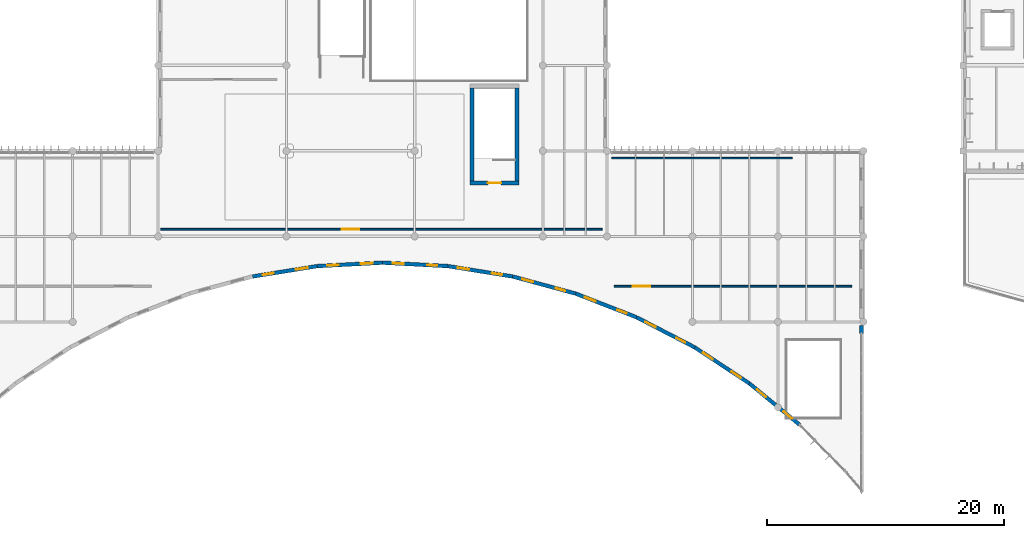
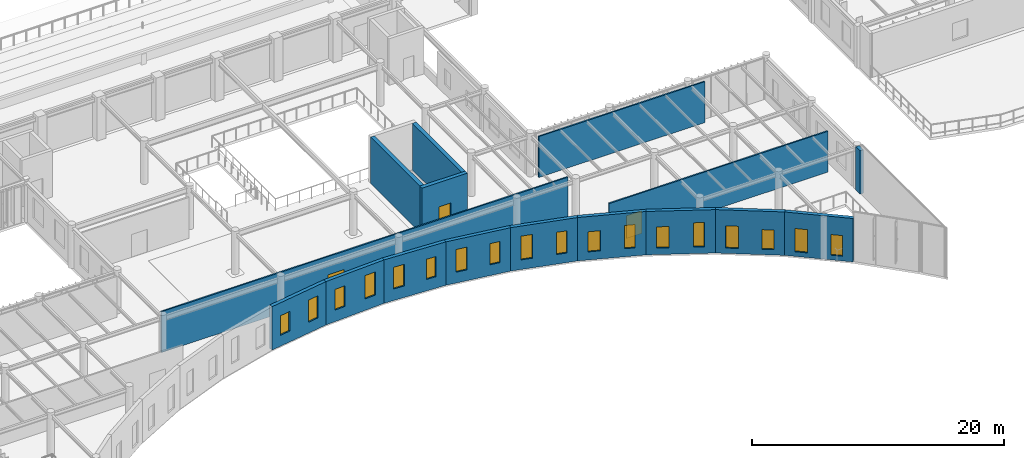
# One storey, part 39 of 104: 18 windows, 16 walls, 3 doors, 21 openings.
"""IFC4 building model written with IfcOpenShell, lengths in metres."""

from ifc_helpers import new_model, si_unit, direction, frame, frame_2d, origin, place, context, subcontext, project, spatial, rectangle, extrude, material, layer, layer_set, type_object, element, fill, save


model = new_model("IFC4")

# Units and contexts
model_context = context("Model", 3, precision=1e-05, world=origin(), true_north=direction((0.0, 1.0)))
body_context = subcontext(model_context, "Body", "Model", "MODEL_VIEW")
ifc_project = project(units=[si_unit("LENGTHUNIT", "METRE"), si_unit("AREAUNIT", "SQUARE_METRE"), si_unit("VOLUMEUNIT", "CUBIC_METRE"), si_unit("PLANEANGLEUNIT", "RADIAN"), si_unit("MASSUNIT", "GRAM", prefix="KILO")], contexts=[model_context])

# Site, building, storey
site_placement = place(None, origin())
site = spatial("IfcSite", under=ifc_project, at=site_placement, CompositionType="ELEMENT")
building_placement = place(site_placement, origin())
building = spatial("IfcBuilding", under=site, at=building_placement, Name="Tazoul Stagehouse", CompositionType="ELEMENT")
storey_placement = place(building_placement, frame((0.0, 0.0, 9.0)))
storey = spatial("IfcBuildingStorey", under=building, at=storey_placement, Name="L02", CompositionType="ELEMENT", Elevation=9.0)

# Wall, openings, windows
ifc_material_1 = material(Name="Ochre Fired Clay Facing Brick Masonry", Category="masonry")
ifc_layer_1 = layer(ifc_material_1, 0.320068359375, Name="Ochre Fired Clay Facing Brick Masonry")
ifc_layer_set_1 = layer_set([ifc_layer_1], Name="Ochre Fired Clay Facing Brick Masonry")
wall_type_1 = type_object("IfcWallType", Name="Concave Crescent Ochre Brick Facade Wall 320", PredefinedType="SOLIDWALL", material=ifc_layer_set_1)
wall_1_placement = place(storey_placement, frame((65.5576171875, 19.62060546875, 0.0), z_axis=(0.0, 0.0, 1.0), x_axis=(0.9873802806, 0.158367236138, 0.0)))
wall_1 = element("IfcWall", 1, at=wall_1_placement, inside=storey, type_object=wall_type_1, Name="L02 Wall EW-320 (WALL-V5-L02-C08)", PredefinedType="SOLIDWALL", context=body_context, shape_type="SweptSolid", body=[
    extrude(rectangle(XDim=5.509765625, YDim=0.320068359375, at=frame_2d((2.7548828125, 0.0))), origin(), (0.0, 0.0, 1.0), 4.199951171875),
])
opening_1_placement = place(wall_1_placement, frame((0.847412109375, 0.0, 1.0458984375)))
opening_1 = element("IfcOpeningElement", 2, at=opening_1_placement, cuts=wall_1, Name="Opening WN-11", PredefinedType="OPENING", context=body_context, shape_type="SweptSolid", body=[
    extrude(rectangle(XDim=0.949951171875, YDim=1.89990234375, at=frame_2d((0.47509765625, 0.949951171875))), frame((0.0, 0.179931640625, 0.0), z_axis=(0.0, -1.0, 0.0), x_axis=(1.0, 0.0, 0.0)), (0.0, 0.0, 1.0), 0.360107421875),
])
opening_2_placement = place(wall_1_placement, frame((3.6875, 0.0, 1.0458984375)))
opening_2 = element("IfcOpeningElement", 3, at=opening_2_placement, cuts=wall_1, Name="Opening WN-18", PredefinedType="OPENING", context=body_context, shape_type="SweptSolid", body=[
    extrude(rectangle(XDim=1.0, YDim=2.14990234375, at=frame_2d((0.5, 1.074951171875))), frame((0.0, 0.179931640625, 0.0), z_axis=(0.0, -1.0, 0.0), x_axis=(1.0, 0.0, 0.0)), (0.0, 0.0, 1.0), 0.360107421875),
])
ifc_material_2 = material(Name="Double Low-E Acoustic Laminated Glass", Category="glass")
window_type_1 = type_object("IfcWindowType", Name="Crescent Modulated Slot Window 1000x2150", PartitioningType="SINGLE_PANEL", PredefinedType="WINDOW", material=ifc_material_2)
window_1_placement = place(opening_2_placement, origin())
window_1 = element("IfcWindow", 4, at=window_1_placement, inside=storey, type_object=window_type_1, Name="L02 Window WN-18 (WN-V5-L02-C08-2)", OverallHeight=2.14990234375, OverallWidth=1.0, PartitioningType="SINGLE_PANEL", PredefinedType="WINDOW", context=body_context, shape_type="SweptSolid", body=[
    extrude(rectangle(XDim=1.0, YDim=2.14990234375, at=frame_2d((0.5, 1.074951171875))), frame((0.0, 0.030029296875, 0.0), z_axis=(0.0, -1.0, 0.0), x_axis=(1.0, 0.0, 0.0)), (0.0, 0.0, 1.0), 0.06005859375),
])
fill(opening_2, window_1)
window_type_2 = type_object("IfcWindowType", Name="Crescent Modulated Slot Window 950x1900", PartitioningType="SINGLE_PANEL", PredefinedType="WINDOW", material=ifc_material_2)
window_2_placement = place(opening_1_placement, origin())
window_2 = element("IfcWindow", 5, at=window_2_placement, inside=storey, type_object=window_type_2, Name="L02 Window WN-11 (WN-V5-L02-C08-1)", OverallHeight=1.89990234375, OverallWidth=0.949951171875, PartitioningType="SINGLE_PANEL", PredefinedType="WINDOW", context=body_context, shape_type="SweptSolid", body=[
    extrude(rectangle(XDim=0.949951171875, YDim=1.89990234375, at=frame_2d((0.47509765625, 0.949951171875))), frame((0.0, 0.030029296875, 0.0), z_axis=(0.0, -1.0, 0.0), x_axis=(1.0, 0.0, 0.0)), (0.0, 0.0, 1.0), 0.06005859375),
])
fill(opening_1, window_2)

wall_2_placement = place(storey_placement, frame((70.997802734375, 20.4931640625, 0.0), z_axis=(0.0, 0.0, 1.0), x_axis=(0.998597189501, 0.05294953372, 0.0)))
wall_2 = element("IfcWall", 6, at=wall_2_placement, inside=storey, type_object=wall_type_1, Name="L02 Wall EW-320 (WALL-V5-L02-C09)", PredefinedType="SOLIDWALL", context=body_context, shape_type="SweptSolid", body=[
    extrude(rectangle(XDim=5.510009765625, YDim=0.320068359375, at=frame_2d((2.7548828125, 0.0))), origin(), (0.0, 0.0, 1.0), 4.199951171875),
])
opening_3_placement = place(wall_2_placement, frame((0.847412109375, 0.0, 1.111572265625)))
opening_3 = element("IfcOpeningElement", 7, at=opening_3_placement, cuts=wall_2, Name="Opening WN-12", PredefinedType="OPENING", context=body_context, shape_type="SweptSolid", body=[
    extrude(rectangle(XDim=0.949951171875, YDim=2.0, at=frame_2d((0.47509765625, 1.0))), frame((0.0, 0.179931640625, 0.0), z_axis=(0.0, -1.0, 0.0), x_axis=(1.0, 0.0, 0.0)), (0.0, 0.0, 1.0), 0.360107421875),
])
opening_4_placement = place(wall_2_placement, frame((3.6875, 0.0, 1.111572265625)))
opening_4 = element("IfcOpeningElement", 8, at=opening_4_placement, cuts=wall_2, Name="Opening WN-19", PredefinedType="OPENING", context=body_context, shape_type="SweptSolid", body=[
    extrude(rectangle(XDim=1.0, YDim=2.25, at=frame_2d((0.5, 1.125))), frame((0.0, 0.179931640625, 0.0), z_axis=(0.0, -1.0, 0.0), x_axis=(1.0, 0.0, 0.0)), (0.0, 0.0, 1.0), 0.360107421875),
])
window_type_3 = type_object("IfcWindowType", Name="Crescent Modulated Slot Window 1000x2250", PartitioningType="SINGLE_PANEL", PredefinedType="WINDOW", material=ifc_material_2)
window_3_placement = place(opening_4_placement, origin())
window_3 = element("IfcWindow", 9, at=window_3_placement, inside=storey, type_object=window_type_3, Name="L02 Window WN-19 (WN-V5-L02-C09-2)", OverallHeight=2.25, OverallWidth=1.0, PartitioningType="SINGLE_PANEL", PredefinedType="WINDOW", context=body_context, shape_type="SweptSolid", body=[
    extrude(rectangle(XDim=1.0, YDim=2.25, at=frame_2d((0.5, 1.125))), frame((0.0, 0.030029296875, 0.0), z_axis=(0.0, -1.0, 0.0), x_axis=(1.0, 0.0, 0.0)), (0.0, 0.0, 1.0), 0.06005859375),
])
fill(opening_4, window_3)
window_type_4 = type_object("IfcWindowType", Name="Crescent Modulated Slot Window 950x2000", PartitioningType="SINGLE_PANEL", PredefinedType="WINDOW", material=ifc_material_2)
window_4_placement = place(opening_3_placement, origin())
window_4 = element("IfcWindow", 10, at=window_4_placement, inside=storey, type_object=window_type_4, Name="L02 Window WN-12 (WN-V5-L02-C09-1)", OverallHeight=2.0, OverallWidth=0.949951171875, PartitioningType="SINGLE_PANEL", PredefinedType="WINDOW", context=body_context, shape_type="SweptSolid", body=[
    extrude(rectangle(XDim=0.949951171875, YDim=2.0, at=frame_2d((0.47509765625, 1.0))), frame((0.0, 0.030029296875, 0.0), z_axis=(0.0, -1.0, 0.0), x_axis=(1.0, 0.0, 0.0)), (0.0, 0.0, 1.0), 0.06005859375),
])
fill(opening_3, window_4)

wall_3_placement = place(storey_placement, frame((76.5, 20.784912109375, 0.0), z_axis=(0.0, 0.0, 1.0), x_axis=(0.998597189501, -0.05294953372, 0.0)))
wall_3 = element("IfcWall", 11, at=wall_3_placement, inside=storey, type_object=wall_type_1, Name="L02 Wall EW-320 (WALL-V5-L02-C10)", PredefinedType="SOLIDWALL", context=body_context, shape_type="SweptSolid", body=[
    extrude(rectangle(XDim=5.510009765625, YDim=0.320068359375, at=frame_2d((2.7548828125, 0.0))), origin(), (0.0, 0.0, 1.0), 4.199951171875),
])
opening_5_placement = place(wall_3_placement, frame((0.847412109375, 0.0, 1.111572265625)))
opening_5 = element("IfcOpeningElement", 12, at=opening_5_placement, cuts=wall_3, Name="Opening WN-13", PredefinedType="OPENING", context=body_context, shape_type="SweptSolid", body=[
    extrude(rectangle(XDim=0.949951171875, YDim=2.10009765625, at=frame_2d((0.47509765625, 1.050048828125))), frame((0.0, 0.179931640625, 0.0), z_axis=(0.0, -1.0, 0.0), x_axis=(1.0, 0.0, 0.0)), (0.0, 0.0, 1.0), 0.360107421875),
])
opening_6_placement = place(wall_3_placement, frame((3.762451171875, 0.0, 1.111572265625)))
opening_6 = element("IfcOpeningElement", 13, at=opening_6_placement, cuts=wall_3, Name="Opening WN-06", PredefinedType="OPENING", context=body_context, shape_type="SweptSolid", body=[
    extrude(rectangle(XDim=0.85009765625, YDim=1.949951171875, at=frame_2d((0.425048828125, 0.97509765625))), frame((0.0, 0.179931640625, 0.0), z_axis=(0.0, -1.0, 0.0), x_axis=(1.0, 0.0, 0.0)), (0.0, 0.0, 1.0), 0.360107421875),
])
window_type_5 = type_object("IfcWindowType", Name="Crescent Modulated Slot Window 850x1950", PartitioningType="SINGLE_PANEL", PredefinedType="WINDOW", material=ifc_material_2)
window_5_placement = place(opening_6_placement, origin())
window_5 = element("IfcWindow", 14, at=window_5_placement, inside=storey, type_object=window_type_5, Name="L02 Window WN-06 (WN-V5-L02-C10-2)", OverallHeight=1.949951171875, OverallWidth=0.85009765625, PartitioningType="SINGLE_PANEL", PredefinedType="WINDOW", context=body_context, shape_type="SweptSolid", body=[
    extrude(rectangle(XDim=0.85009765625, YDim=1.949951171875, at=frame_2d((0.425048828125, 0.97509765625))), frame((0.0, 0.030029296875, 0.0), z_axis=(0.0, -1.0, 0.0), x_axis=(1.0, 0.0, 0.0)), (0.0, 0.0, 1.0), 0.06005859375),
])
fill(opening_6, window_5)
window_type_6 = type_object("IfcWindowType", Name="Crescent Modulated Slot Window 950x2100", PartitioningType="SINGLE_PANEL", PredefinedType="WINDOW", material=ifc_material_2)
window_6_placement = place(opening_5_placement, origin())
window_6 = element("IfcWindow", 15, at=window_6_placement, inside=storey, type_object=window_type_6, Name="L02 Window WN-13 (WN-V5-L02-C10-1)", OverallHeight=2.10009765625, OverallWidth=0.949951171875, PartitioningType="SINGLE_PANEL", PredefinedType="WINDOW", context=body_context, shape_type="SweptSolid", body=[
    extrude(rectangle(XDim=0.949951171875, YDim=2.10009765625, at=frame_2d((0.47509765625, 1.050048828125))), frame((0.0, 0.030029296875, 0.0), z_axis=(0.0, -1.0, 0.0), x_axis=(1.0, 0.0, 0.0)), (0.0, 0.0, 1.0), 0.06005859375),
])
fill(opening_5, window_6)

wall_4_placement = place(storey_placement, frame((82.002197265625, 20.4931640625, 0.0), z_axis=(0.0, 0.0, 1.0), x_axis=(0.9873802806, -0.158367236138, 0.0)))
wall_4 = element("IfcWall", 16, at=wall_4_placement, inside=storey, type_object=wall_type_1, Name="L02 Wall EW-320 (WALL-V5-L02-C11)", PredefinedType="SOLIDWALL", context=body_context, shape_type="SweptSolid", body=[
    extrude(rectangle(XDim=5.509765625, YDim=0.320068359375, at=frame_2d((2.7548828125, 0.0))), origin(), (0.0, 0.0, 1.0), 4.199951171875),
])
opening_7_placement = place(wall_4_placement, frame((0.847412109375, 0.0, 1.0458984375)))
opening_7 = element("IfcOpeningElement", 17, at=opening_7_placement, cuts=wall_4, Name="Opening WN-14", PredefinedType="OPENING", context=body_context, shape_type="SweptSolid", body=[
    extrude(rectangle(XDim=0.949951171875, YDim=2.199951171875, at=frame_2d((0.47509765625, 1.10009765625))), frame((0.0, 0.179931640625, 0.0), z_axis=(0.0, -1.0, 0.0), x_axis=(1.0, 0.0, 0.0)), (0.0, 0.0, 1.0), 0.360107421875),
])
opening_8_placement = place(wall_4_placement, frame((3.762451171875, 0.0, 1.0458984375)))
opening_8 = element("IfcOpeningElement", 18, at=opening_8_placement, cuts=wall_4, Name="Opening WN-07", PredefinedType="OPENING", context=body_context, shape_type="SweptSolid", body=[
    extrude(rectangle(XDim=0.85009765625, YDim=2.050048828125, at=frame_2d((0.425048828125, 1.02490234375))), frame((0.0, 0.179931640625, 0.0), z_axis=(0.0, -1.0, 0.0), x_axis=(1.0, 0.0, 0.0)), (0.0, 0.0, 1.0), 0.360107421875),
])
window_type_7 = type_object("IfcWindowType", Name="Crescent Modulated Slot Window 850x2050", PartitioningType="SINGLE_PANEL", PredefinedType="WINDOW", material=ifc_material_2)
window_7_placement = place(opening_8_placement, origin())
window_7 = element("IfcWindow", 19, at=window_7_placement, inside=storey, type_object=window_type_7, Name="L02 Window WN-07 (WN-V5-L02-C11-2)", OverallHeight=2.050048828125, OverallWidth=0.85009765625, PartitioningType="SINGLE_PANEL", PredefinedType="WINDOW", context=body_context, shape_type="SweptSolid", body=[
    extrude(rectangle(XDim=0.85009765625, YDim=2.050048828125, at=frame_2d((0.425048828125, 1.02490234375))), frame((0.0, 0.030029296875, 0.0), z_axis=(0.0, -1.0, 0.0), x_axis=(1.0, 0.0, 0.0)), (0.0, 0.0, 1.0), 0.06005859375),
])
fill(opening_8, window_7)
window_type_8 = type_object("IfcWindowType", Name="Crescent Modulated Slot Window 950x2200", PartitioningType="SINGLE_PANEL", PredefinedType="WINDOW", material=ifc_material_2)
window_8_placement = place(opening_7_placement, origin())
window_8 = element("IfcWindow", 20, at=window_8_placement, inside=storey, type_object=window_type_8, Name="L02 Window WN-14 (WN-V5-L02-C11-1)", OverallHeight=2.199951171875, OverallWidth=0.949951171875, PartitioningType="SINGLE_PANEL", PredefinedType="WINDOW", context=body_context, shape_type="SweptSolid", body=[
    extrude(rectangle(XDim=0.949951171875, YDim=2.199951171875, at=frame_2d((0.47509765625, 1.10009765625))), frame((0.0, 0.030029296875, 0.0), z_axis=(0.0, -1.0, 0.0), x_axis=(1.0, 0.0, 0.0)), (0.0, 0.0, 1.0), 0.06005859375),
])
fill(opening_7, window_8)

wall_5_placement = place(storey_placement, frame((87.4423828125, 19.62060546875, 0.0), z_axis=(0.0, 0.0, 1.0), x_axis=(0.965092315166, -0.261909952479, 0.0)))
wall_5 = element("IfcWall", 21, at=wall_5_placement, inside=storey, type_object=wall_type_1, Name="L02 Wall EW-320 (WALL-V5-L02-C12)", PredefinedType="SOLIDWALL", context=body_context, shape_type="SweptSolid", body=[
    extrude(rectangle(XDim=5.510009765625, YDim=0.320068359375, at=frame_2d((2.7548828125, 0.0))), origin(), (0.0, 0.0, 1.0), 4.199951171875),
])
opening_9_placement = place(wall_5_placement, frame((0.847412109375, 0.0, 0.927490234375)))
opening_9 = element("IfcOpeningElement", 22, at=opening_9_placement, cuts=wall_5, Name="Opening WN-15", PredefinedType="OPENING", context=body_context, shape_type="SweptSolid", body=[
    extrude(rectangle(XDim=0.949951171875, YDim=2.300048828125, at=frame_2d((0.47509765625, 1.14990234375))), frame((0.0, 0.179931640625, 0.0), z_axis=(0.0, -1.0, 0.0), x_axis=(1.0, 0.0, 0.0)), (0.0, 0.0, 1.0), 0.360107421875),
])
opening_10_placement = place(wall_5_placement, frame((3.762451171875, 0.0, 0.927490234375)))
opening_10 = element("IfcOpeningElement", 23, at=opening_10_placement, cuts=wall_5, Name="Opening WN-08", PredefinedType="OPENING", context=body_context, shape_type="SweptSolid", body=[
    extrude(rectangle(XDim=0.85009765625, YDim=2.14990234375, at=frame_2d((0.425048828125, 1.074951171875))), frame((0.0, 0.179931640625, 0.0), z_axis=(0.0, -1.0, 0.0), x_axis=(1.0, 0.0, 0.0)), (0.0, 0.0, 1.0), 0.360107421875),
])
window_type_9 = type_object("IfcWindowType", Name="Crescent Modulated Slot Window 850x2150", PartitioningType="SINGLE_PANEL", PredefinedType="WINDOW", material=ifc_material_2)
window_9_placement = place(opening_10_placement, origin())
window_9 = element("IfcWindow", 24, at=window_9_placement, inside=storey, type_object=window_type_9, Name="L02 Window WN-08 (WN-V5-L02-C12-2)", OverallHeight=2.14990234375, OverallWidth=0.85009765625, PartitioningType="SINGLE_PANEL", PredefinedType="WINDOW", context=body_context, shape_type="SweptSolid", body=[
    extrude(rectangle(XDim=0.85009765625, YDim=2.14990234375, at=frame_2d((0.425048828125, 1.074951171875))), frame((0.0, 0.030029296875, 0.0), z_axis=(0.0, -1.0, 0.0), x_axis=(1.0, 0.0, 0.0)), (0.0, 0.0, 1.0), 0.06005859375),
])
fill(opening_10, window_9)
window_type_10 = type_object("IfcWindowType", Name="Crescent Modulated Slot Window 950x2300", PartitioningType="SINGLE_PANEL", PredefinedType="WINDOW", material=ifc_material_2)
window_10_placement = place(opening_9_placement, origin())
window_10 = element("IfcWindow", 25, at=window_10_placement, inside=storey, type_object=window_type_10, Name="L02 Window WN-15 (WN-V5-L02-C12-1)", OverallHeight=2.300048828125, OverallWidth=0.949951171875, PartitioningType="SINGLE_PANEL", PredefinedType="WINDOW", context=body_context, shape_type="SweptSolid", body=[
    extrude(rectangle(XDim=0.949951171875, YDim=2.300048828125, at=frame_2d((0.47509765625, 1.14990234375))), frame((0.0, 0.030029296875, 0.0), z_axis=(0.0, -1.0, 0.0), x_axis=(1.0, 0.0, 0.0)), (0.0, 0.0, 1.0), 0.06005859375),
])
fill(opening_9, window_10)

wall_6_placement = place(storey_placement, frame((92.760009765625, 18.177490234375, 0.0), z_axis=(0.0, 0.0, 1.0), x_axis=(0.931946449517, -0.362595939349, 0.0)))
wall_6 = element("IfcWall", 26, at=wall_6_placement, inside=storey, type_object=wall_type_1, Name="L02 Wall EW-320 (WALL-V5-L02-C13)", PredefinedType="SOLIDWALL", context=body_context, shape_type="SweptSolid", body=[
    extrude(rectangle(XDim=5.509765625, YDim=0.320068359375, at=frame_2d((2.7548828125, 0.0))), origin(), (0.0, 0.0, 1.0), 4.199951171875),
])
opening_11_placement = place(wall_6_placement, frame((0.822509765625, 0.0, 0.780029296875)))
opening_11 = element("IfcOpeningElement", 27, at=opening_11_placement, cuts=wall_6, Name="Opening WN-16", PredefinedType="OPENING", context=body_context, shape_type="SweptSolid", body=[
    extrude(rectangle(XDim=1.0, YDim=1.949951171875, at=frame_2d((0.5, 0.97509765625))), frame((0.0, 0.179931640625, 0.0), z_axis=(0.0, -1.0, 0.0), x_axis=(1.0, 0.0, 0.0)), (0.0, 0.0, 1.0), 0.360107421875),
])
opening_12_placement = place(wall_6_placement, frame((3.762451171875, 0.0, 0.780029296875)))
opening_12 = element("IfcOpeningElement", 28, at=opening_12_placement, cuts=wall_6, Name="Opening WN-09", PredefinedType="OPENING", context=body_context, shape_type="SweptSolid", body=[
    extrude(rectangle(XDim=0.85009765625, YDim=2.25, at=frame_2d((0.425048828125, 1.125))), frame((0.0, 0.179931640625, 0.0), z_axis=(0.0, -1.0, 0.0), x_axis=(1.0, 0.0, 0.0)), (0.0, 0.0, 1.0), 0.360107421875),
])
window_type_11 = type_object("IfcWindowType", Name="Crescent Modulated Slot Window 1000x1950", PartitioningType="SINGLE_PANEL", PredefinedType="WINDOW", material=ifc_material_2)
window_11_placement = place(opening_11_placement, origin())
window_11 = element("IfcWindow", 29, at=window_11_placement, inside=storey, type_object=window_type_11, Name="L02 Window WN-16 (WN-V5-L02-C13-1)", OverallHeight=1.949951171875, OverallWidth=1.0, PartitioningType="SINGLE_PANEL", PredefinedType="WINDOW", context=body_context, shape_type="SweptSolid", body=[
    extrude(rectangle(XDim=1.0, YDim=1.949951171875, at=frame_2d((0.5, 0.97509765625))), frame((0.0, 0.030029296875, 0.0), z_axis=(0.0, -1.0, 0.0), x_axis=(1.0, 0.0, 0.0)), (0.0, 0.0, 1.0), 0.06005859375),
])
fill(opening_11, window_11)
window_type_12 = type_object("IfcWindowType", Name="Crescent Modulated Slot Window 850x2250", PartitioningType="SINGLE_PANEL", PredefinedType="WINDOW", material=ifc_material_2)
window_12_placement = place(opening_12_placement, origin())
window_12 = element("IfcWindow", 30, at=window_12_placement, inside=storey, type_object=window_type_12, Name="L02 Window WN-09 (WN-V5-L02-C13-2)", OverallHeight=2.25, OverallWidth=0.85009765625, PartitioningType="SINGLE_PANEL", PredefinedType="WINDOW", context=body_context, shape_type="SweptSolid", body=[
    extrude(rectangle(XDim=0.85009765625, YDim=2.25, at=frame_2d((0.425048828125, 1.125))), frame((0.0, 0.030029296875, 0.0), z_axis=(0.0, -1.0, 0.0), x_axis=(1.0, 0.0, 0.0)), (0.0, 0.0, 1.0), 0.06005859375),
])
fill(opening_12, window_12)

wall_7_placement = place(storey_placement, frame((97.894775390625, 16.1796875, 0.0), z_axis=(0.0, 0.0, 1.0), x_axis=(0.888365365521, -0.459137209713, 0.0)))
wall_7 = element("IfcWall", 31, at=wall_7_placement, inside=storey, type_object=wall_type_1, Name="L02 Wall EW-320 (WALL-V5-L02-C14)", PredefinedType="SOLIDWALL", context=body_context, shape_type="SweptSolid", body=[
    extrude(rectangle(XDim=5.509765625, YDim=0.320068359375, at=frame_2d((2.7548828125, 0.0))), origin(), (0.0, 0.0, 1.0), 4.199951171875),
])
opening_13_placement = place(wall_7_placement, frame((0.822509765625, 0.0, 0.632568359375)))
opening_13 = element("IfcOpeningElement", 32, at=opening_13_placement, cuts=wall_7, Name="Opening WN-17", PredefinedType="OPENING", context=body_context, shape_type="SweptSolid", body=[
    extrude(rectangle(XDim=1.0, YDim=2.050048828125, at=frame_2d((0.5, 1.02490234375))), frame((0.0, 0.179931640625, 0.0), z_axis=(0.0, -1.0, 0.0), x_axis=(1.0, 0.0, 0.0)), (0.0, 0.0, 1.0), 0.360107421875),
])
opening_14_placement = place(wall_7_placement, frame((3.762451171875, 0.0, 0.632568359375)))
opening_14 = element("IfcOpeningElement", 33, at=opening_14_placement, cuts=wall_7, Name="Opening WN-10", PredefinedType="OPENING", context=body_context, shape_type="SweptSolid", body=[
    extrude(rectangle(XDim=0.85009765625, YDim=2.35009765625, at=frame_2d((0.425048828125, 1.175048828125))), frame((0.0, 0.179931640625, 0.0), z_axis=(0.0, -1.0, 0.0), x_axis=(1.0, 0.0, 0.0)), (0.0, 0.0, 1.0), 0.360107421875),
])
window_type_13 = type_object("IfcWindowType", Name="Crescent Modulated Slot Window 1000x2050", PartitioningType="SINGLE_PANEL", PredefinedType="WINDOW", material=ifc_material_2)
window_13_placement = place(opening_13_placement, origin())
window_13 = element("IfcWindow", 34, at=window_13_placement, inside=storey, type_object=window_type_13, Name="L02 Window WN-17 (WN-V5-L02-C14-1)", OverallHeight=2.050048828125, OverallWidth=1.0, PartitioningType="SINGLE_PANEL", PredefinedType="WINDOW", context=body_context, shape_type="SweptSolid", body=[
    extrude(rectangle(XDim=1.0, YDim=2.050048828125, at=frame_2d((0.5, 1.02490234375))), frame((0.0, 0.030029296875, 0.0), z_axis=(0.0, -1.0, 0.0), x_axis=(1.0, 0.0, 0.0)), (0.0, 0.0, 1.0), 0.06005859375),
])
fill(opening_13, window_13)
window_type_14 = type_object("IfcWindowType", Name="Crescent Modulated Slot Window 850x2350", PartitioningType="SINGLE_PANEL", PredefinedType="WINDOW", material=ifc_material_2)
window_14_placement = place(opening_14_placement, origin())
window_14 = element("IfcWindow", 35, at=window_14_placement, inside=storey, type_object=window_type_14, Name="L02 Window WN-10 (WN-V5-L02-C14-2)", OverallHeight=2.35009765625, OverallWidth=0.85009765625, PartitioningType="SINGLE_PANEL", PredefinedType="WINDOW", context=body_context, shape_type="SweptSolid", body=[
    extrude(rectangle(XDim=0.85009765625, YDim=2.35009765625, at=frame_2d((0.425048828125, 1.175048828125))), frame((0.0, 0.030029296875, 0.0), z_axis=(0.0, -1.0, 0.0), x_axis=(1.0, 0.0, 0.0)), (0.0, 0.0, 1.0), 0.06005859375),
])
fill(opening_14, window_14)

wall_8_placement = place(storey_placement, frame((102.78955078125, 13.64990234375, 0.0), z_axis=(0.0, 0.0, 1.0), x_axis=(0.834787412137, -0.550572408079, 0.0)))
wall_8 = element("IfcWall", 36, at=wall_8_placement, inside=storey, type_object=wall_type_1, Name="L02 Wall EW-320 (WALL-V5-L02-C15)", PredefinedType="SOLIDWALL", context=body_context, shape_type="SweptSolid", body=[
    extrude(rectangle(XDim=5.509521484375, YDim=0.320068359375, at=frame_2d((2.7548828125, 0.0))), origin(), (0.0, 0.0, 1.0), 4.199951171875),
])
opening_15_placement = place(wall_8_placement, frame((0.822265625, 0.0, 0.51416015625)))
opening_15 = element("IfcOpeningElement", 37, at=opening_15_placement, cuts=wall_8, Name="Opening WN-18", PredefinedType="OPENING", context=body_context, shape_type="SweptSolid", body=[
    extrude(rectangle(XDim=1.0, YDim=2.14990234375, at=frame_2d((0.5, 1.074951171875))), frame((0.0, 0.179931640625, 0.0), z_axis=(0.0, -1.0, 0.0), x_axis=(1.0, 0.0, 0.0)), (0.0, 0.0, 1.0), 0.360107421875),
])
opening_16_placement = place(wall_8_placement, frame((3.71240234375, 0.0, 0.51416015625)))
opening_16 = element("IfcOpeningElement", 38, at=opening_16_placement, cuts=wall_8, Name="Opening WN-11", PredefinedType="OPENING", context=body_context, shape_type="SweptSolid", body=[
    extrude(rectangle(XDim=0.949951171875, YDim=1.89990234375, at=frame_2d((0.47509765625, 0.949951171875))), frame((0.0, 0.179931640625, 0.0), z_axis=(0.0, -1.0, 0.0), x_axis=(1.0, 0.0, 0.0)), (0.0, 0.0, 1.0), 0.360107421875),
])
window_15_placement = place(opening_15_placement, origin())
window_15 = element("IfcWindow", 39, at=window_15_placement, inside=storey, type_object=window_type_1, Name="L02 Window WN-18 (WN-V5-L02-C15-1)", OverallHeight=2.14990234375, OverallWidth=1.0, PartitioningType="SINGLE_PANEL", PredefinedType="WINDOW", context=body_context, shape_type="SweptSolid", body=[
    extrude(rectangle(XDim=1.0, YDim=2.14990234375, at=frame_2d((0.5, 1.074951171875))), frame((0.0, 0.030029296875, 0.0), z_axis=(0.0, -1.0, 0.0), x_axis=(1.0, 0.0, 0.0)), (0.0, 0.0, 1.0), 0.06005859375),
])
fill(opening_15, window_15)
window_16_placement = place(opening_16_placement, origin())
window_16 = element("IfcWindow", 40, at=window_16_placement, inside=storey, type_object=window_type_2, Name="L02 Window WN-11 (WN-V5-L02-C15-2)", OverallHeight=1.89990234375, OverallWidth=0.949951171875, PartitioningType="SINGLE_PANEL", PredefinedType="WINDOW", context=body_context, shape_type="SweptSolid", body=[
    extrude(rectangle(XDim=0.949951171875, YDim=1.89990234375, at=frame_2d((0.47509765625, 0.949951171875))), frame((0.0, 0.030029296875, 0.0), z_axis=(0.0, -1.0, 0.0), x_axis=(1.0, 0.0, 0.0)), (0.0, 0.0, 1.0), 0.06005859375),
])
fill(opening_16, window_16)

wall_9_placement = place(storey_placement, frame((107.388916015625, 10.616455078125, 0.0), z_axis=(0.0, 0.0, 1.0), x_axis=(0.771862443056, -0.635789563456, 0.0)))
wall_9 = element("IfcWall", 41, at=wall_9_placement, inside=storey, type_object=wall_type_1, Name="L02 Wall EW-320 (WALL-V5-L02-C16)", PredefinedType="SOLIDWALL", context=body_context, shape_type="SweptSolid", body=[
    extrude(rectangle(XDim=5.510009765625, YDim=0.320068359375, at=frame_2d((2.7548828125, 0.0))), origin(), (0.0, 0.0, 1.0), 4.199951171875),
])
opening_17_placement = place(wall_9_placement, frame((0.822509765625, 0.0, 0.448486328125)))
opening_17 = element("IfcOpeningElement", 42, at=opening_17_placement, cuts=wall_9, Name="Opening WN-19", PredefinedType="OPENING", context=body_context, shape_type="SweptSolid", body=[
    extrude(rectangle(XDim=1.0, YDim=2.25, at=frame_2d((0.5, 1.125))), frame((0.0, 0.179931640625, 0.0), z_axis=(0.0, -1.0, 0.0), x_axis=(1.0, 0.0, 0.0)), (0.0, 0.0, 1.0), 0.360107421875),
])
opening_18_placement = place(wall_9_placement, frame((3.71240234375, 0.0, 0.448486328125)))
opening_18 = element("IfcOpeningElement", 43, at=opening_18_placement, cuts=wall_9, Name="Opening WN-12", PredefinedType="OPENING", context=body_context, shape_type="SweptSolid", body=[
    extrude(rectangle(XDim=0.949951171875, YDim=2.0, at=frame_2d((0.47509765625, 1.0))), frame((0.0, 0.179931640625, 0.0), z_axis=(0.0, -1.0, 0.0), x_axis=(1.0, 0.0, 0.0)), (0.0, 0.0, 1.0), 0.360107421875),
])
window_17_placement = place(opening_17_placement, origin())
window_17 = element("IfcWindow", 44, at=window_17_placement, inside=storey, type_object=window_type_3, Name="L02 Window WN-19 (WN-V5-L02-C16-1)", OverallHeight=2.25, OverallWidth=1.0, PartitioningType="SINGLE_PANEL", PredefinedType="WINDOW", context=body_context, shape_type="SweptSolid", body=[
    extrude(rectangle(XDim=1.0, YDim=2.25, at=frame_2d((0.5, 1.125))), frame((0.0, 0.030029296875, 0.0), z_axis=(0.0, -1.0, 0.0), x_axis=(1.0, 0.0, 0.0)), (0.0, 0.0, 1.0), 0.06005859375),
])
fill(opening_17, window_17)
window_18_placement = place(opening_18_placement, origin())
window_18 = element("IfcWindow", 45, at=window_18_placement, inside=storey, type_object=window_type_4, Name="L02 Window WN-12 (WN-V5-L02-C16-2)", OverallHeight=2.0, OverallWidth=0.949951171875, PartitioningType="SINGLE_PANEL", PredefinedType="WINDOW", context=body_context, shape_type="SweptSolid", body=[
    extrude(rectangle(XDim=0.949951171875, YDim=2.0, at=frame_2d((0.47509765625, 1.0))), frame((0.0, 0.030029296875, 0.0), z_axis=(0.0, -1.0, 0.0), x_axis=(1.0, 0.0, 0.0)), (0.0, 0.0, 1.0), 0.06005859375),
])
fill(opening_18, window_18)

# Wall
wall_10_placement = place(storey_placement, frame((116.840087890625, 14.820068359375, 0.0), z_axis=(0.0, 0.0, 1.0), x_axis=(0.0, 1.0, 0.0)))
element("IfcWall", 46, at=wall_10_placement, inside=storey, type_object=wall_type_1, Name="L02 Wall EW-320 (WALL-V5-E-L02-S1)", PredefinedType="SOLIDWALL", context=body_context, shape_type="SweptSolid", body=[
    extrude(rectangle(XDim=0.675048828125, YDim=0.320068359375, at=frame_2d((0.33740234375, 0.0))), origin(), (0.0, 0.0, 1.0), 4.199951171875),
])

# Wall, opening, door
ifc_material_3 = material(Name="Concrete C40/50", Category="concrete")
ifc_layer_2 = layer(ifc_material_3, 0.35009765625, Name="Concrete C40/50")
ifc_layer_set_2 = layer_set([ifc_layer_2], Name="Concrete C40/50")
wall_type_2 = type_object("IfcWallType", Name="Core Shear Wall 350", PredefinedType="SOLIDWALL", material=ifc_layer_set_2)
wall_11_placement = place(storey_placement, frame((88.0, 27.5048828125, 0.0), z_axis=(0.0, 0.0, 1.0), x_axis=(-1.0, 0.0, 0.0)))
wall_11 = element("IfcWall", 47, at=wall_11_placement, inside=storey, type_object=wall_type_2, Name="L02 Core Wall CW-350 (SHF-ST-08-south)", PredefinedType="SOLIDWALL", context=body_context, shape_type="SweptSolid", body=[
    extrude(rectangle(XDim=4.14990234375, YDim=0.35009765625, at=frame_2d((2.074951171875, 0.0))), origin(), (0.0, 0.0, 1.0), 4.5),
])
opening_19_placement = place(wall_11_placement, frame((1.52490234375, 0.0, 0.0)))
opening_19 = element("IfcOpeningElement", 48, at=opening_19_placement, cuts=wall_11, Name="Opening FD-01", PredefinedType="OPENING", context=body_context, shape_type="SweptSolid", body=[
    extrude(rectangle(XDim=1.10009765625, YDim=2.14990234375, at=frame_2d((0.550048828125, 1.074951171875))), frame((0.0, 0.195068359375, 0.0), z_axis=(0.0, -1.0, 0.0), x_axis=(1.0, 0.0, 0.0)), (0.0, 0.0, 1.0), 0.39013671875),
])
ifc_material_4 = material(Name="Powder-Coated Galvanised Acoustic Steel", Category="steel")
door_type_1 = type_object("IfcDoorType", Name="Core Escape Stair Fire Door 1100x2150", OperationType="NOTDEFINED", PredefinedType="DOOR", material=ifc_material_4)
door_1_placement = place(opening_19_placement, origin())
door_1 = element("IfcDoor", 49, at=door_1_placement, inside=storey, type_object=door_type_1, Name="L02 Escape Stair Fire Door FD-01 (ST-08)", OperationType="SINGLE_SWING_LEFT", OverallHeight=2.14990234375, OverallWidth=1.10009765625, PredefinedType="DOOR", context=body_context, shape_type="SweptSolid", body=[
    extrude(rectangle(XDim=1.10009765625, YDim=2.14990234375, at=frame_2d((0.550048828125, 1.074951171875))), frame((0.0, 0.02490234375, 0.0), z_axis=(0.0, -1.0, 0.0), x_axis=(1.0, 0.0, 0.0)), (0.0, 0.0, 1.0), 0.050048828125),
])
fill(opening_19, door_1)

# Walls
for number, where, z_axis, x_axis, name in (
    (50, (84.02490234375, 27.679931640625, 0.0), (0.0, 0.0, 1.0), (0.0, 1.0, 0.0), "L02 Core Wall CW-350 (SHF-ST-08-west)"),
    (51, (87.824951171875, 35.47998046875, 0.0), (0.0, 0.0, 1.0), (0.0, -1.0, 0.0), "L02 Core Wall CW-350 (SHF-ST-08-east)"),
):
    element("IfcWall", number, at=place(storey_placement, frame(where, z_axis=z_axis, x_axis=x_axis)), inside=storey, type_object=wall_type_2, Name=name, PredefinedType="SOLIDWALL", context=body_context, shape_type="SweptSolid", body=[
        extrude(rectangle(XDim=7.800048828125, YDim=0.35009765625, at=frame_2d((3.89990234375, 0.0))), origin(), (0.0, 0.0, 1.0), 4.5),
    ])
ifc_material_5 = material(Name="Gypsum Acoustic Partition", Category="gypsum")
ifc_layer_3 = layer(ifc_material_5, 0.1298828125, Name="Gypsum Acoustic Partition")
ifc_layer_set_3 = layer_set([ifc_layer_3], Name="Gypsum Acoustic Partition")
wall_type_3 = type_object("IfcWallType", Name="Office Drywall Partition 130", PredefinedType="PARTITIONING", material=ifc_layer_set_3)
wall_12_placement = place(storey_placement, frame((95.800048828125, 29.60009765625, 0.0), z_axis=(0.0, 0.0, 1.0), x_axis=(1.0, 0.0, 0.0)))
element("IfcWall", 52, at=wall_12_placement, inside=storey, type_object=wall_type_3, Name="L02 Partition PW-130 (PW-RM-L02-060-N)", PredefinedType="PARTITIONING", context=body_context, shape_type="SweptSolid", body=[
    extrude(rectangle(XDim=15.199951171875, YDim=0.1298828125, at=frame_2d((7.60009765625, 0.0))), origin(), (0.0, 0.0, 1.0), 3.9599609375),
])

# Wall, opening, door
wall_13_placement = place(storey_placement, frame((57.800048828125, 23.60009765625, 0.0), z_axis=(0.0, 0.0, 1.0), x_axis=(1.0, 0.0, 0.0)))
wall_13 = element("IfcWall", 53, at=wall_13_placement, inside=storey, type_object=wall_type_3, Name="L02 Partition PW-130 (PW-RM-L02-124-N)", PredefinedType="PARTITIONING", context=body_context, shape_type="SweptSolid", body=[
    extrude(rectangle(XDim=37.199951171875, YDim=0.1298828125, at=frame_2d((18.60009765625, 0.0))), origin(), (0.0, 0.0, 1.0), 3.9599609375),
])
opening_20_placement = place(wall_13_placement, frame((15.264892578125, 0.0, 0.0)))
opening_20 = element("IfcOpeningElement", 54, at=opening_20_placement, cuts=wall_13, Name="Opening ID-21", PredefinedType="OPENING", context=body_context, shape_type="SweptSolid", body=[
    extrude(rectangle(XDim=1.449951171875, YDim=2.199951171875, at=frame_2d((0.72509765625, 1.10009765625))), frame((0.0, 0.0849609375, 0.0), z_axis=(0.0, -1.0, 0.0), x_axis=(1.0, 0.0, 0.0)), (0.0, 0.0, 1.0), 0.169921875),
])
ifc_material_6 = material(Name="Acoustic Cedar Timber", Category="wood")
door_type_2 = type_object("IfcDoorType", Name="Press Conference Double Door 1450x2200", OperationType="DOUBLE_DOOR_SINGLE_SWING", PredefinedType="DOOR", material=ifc_material_6)
door_2_placement = place(opening_20_placement, origin())
door_2 = element("IfcDoor", 55, at=door_2_placement, inside=storey, type_object=door_type_2, Name="L02 Crescent Upper Patron Exhibition Salon Door", OperationType="DOUBLE_DOOR_SINGLE_SWING", OverallHeight=2.199951171875, OverallWidth=1.449951171875, PredefinedType="DOOR", context=body_context, shape_type="SweptSolid", body=[
    extrude(rectangle(XDim=1.449951171875, YDim=2.199951171875, at=frame_2d((0.72509765625, 1.10009765625))), frame((0.0, 0.02490234375, 0.0), z_axis=(0.0, -1.0, 0.0), x_axis=(1.0, 0.0, 0.0)), (0.0, 0.0, 1.0), 0.050048828125),
])
fill(opening_20, door_2)

wall_14_placement = place(storey_placement, frame((96.0, 18.800048828125, 0.0), z_axis=(0.0, 0.0, 1.0), x_axis=(1.0, 0.0, 0.0)))
wall_14 = element("IfcWall", 56, at=wall_14_placement, inside=storey, type_object=wall_type_3, Name="L02 Partition PW-130 (PW-RM-L02-126-N)", PredefinedType="PARTITIONING", context=body_context, shape_type="SweptSolid", body=[
    extrude(rectangle(XDim=20.0, YDim=0.1298828125, at=frame_2d((10.0, 0.0))), origin(), (0.0, 0.0, 1.0), 3.9599609375),
])
opening_21_placement = place(wall_14_placement, frame((1.589599609375, 0.0, 0.0)))
opening_21 = element("IfcOpeningElement", 57, at=opening_21_placement, cuts=wall_14, Name="Opening ID-21", PredefinedType="OPENING", context=body_context, shape_type="SweptSolid", body=[
    extrude(rectangle(XDim=1.449951171875, YDim=2.199951171875, at=frame_2d((0.72509765625, 1.10009765625))), frame((0.0, 0.0849609375, 0.0), z_axis=(0.0, -1.0, 0.0), x_axis=(1.0, 0.0, 0.0)), (0.0, 0.0, 1.0), 0.169921875),
])
door_3_placement = place(opening_21_placement, origin())
door_3 = element("IfcDoor", 58, at=door_3_placement, inside=storey, type_object=door_type_2, Name="L02 Crescent East Costume Sketch Salon Door", OperationType="DOUBLE_DOOR_SINGLE_SWING", OverallHeight=2.199951171875, OverallWidth=1.449951171875, PredefinedType="DOOR", context=body_context, shape_type="SweptSolid", body=[
    extrude(rectangle(XDim=1.449951171875, YDim=2.199951171875, at=frame_2d((0.72509765625, 1.10009765625))), frame((0.0, 0.02490234375, 0.0), z_axis=(0.0, -1.0, 0.0), x_axis=(1.0, 0.0, 0.0)), (0.0, 0.0, 1.0), 0.050048828125),
])
fill(opening_21, door_3)

save(model, "model.ifc")
